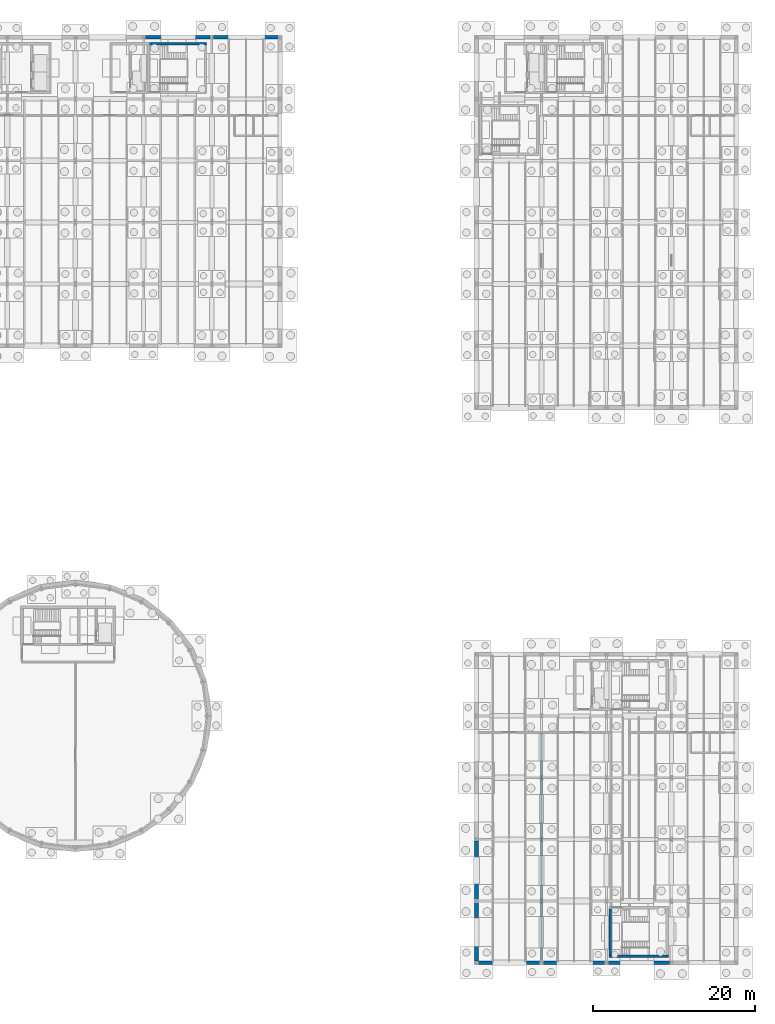
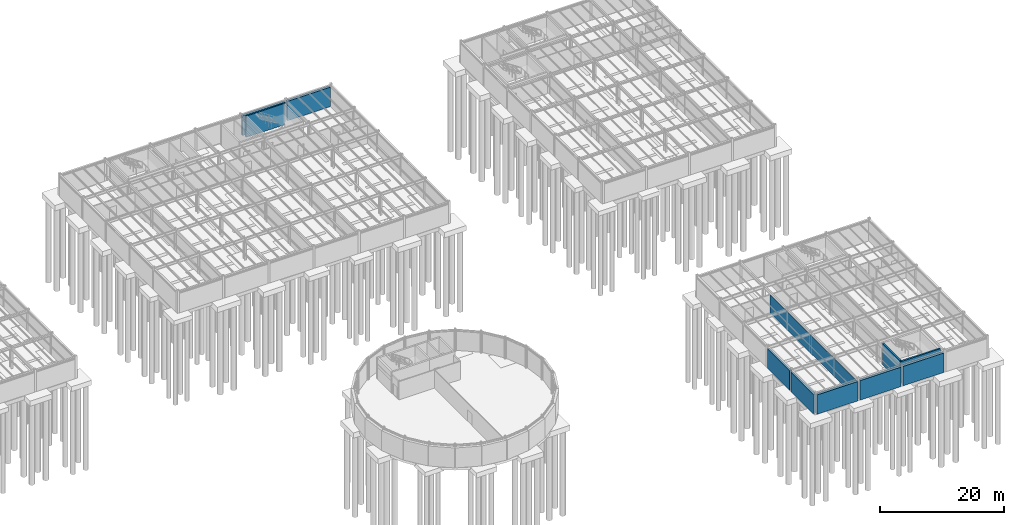
# One storey, part 27 of 33: 11 walls.
"""IFC4 building model written with IfcOpenShell, lengths in metres."""

from ifc_helpers import new_model, si_unit, direction, frame, frame_2d, origin, place, context, subcontext, project, spatial, rectangle, extrude, material, layer, layer_set, type_object, element, save


model = new_model("IFC4")

# Units and contexts
model_context = context("Model", 3, precision=1e-05, world=origin(), true_north=direction((0.0, 1.0)))
body_context = subcontext(model_context, "Body", "Model", "MODEL_VIEW")
ifc_project = project(units=[si_unit("LENGTHUNIT", "METRE"), si_unit("AREAUNIT", "SQUARE_METRE"), si_unit("VOLUMEUNIT", "CUBIC_METRE"), si_unit("PLANEANGLEUNIT", "RADIAN"), si_unit("MASSUNIT", "GRAM", prefix="KILO")], contexts=[model_context])

# Site, building, storey
site_placement = place(None, origin())
site = spatial("IfcSite", under=ifc_project, at=site_placement, CompositionType="ELEMENT")
building_placement = place(site_placement, origin())
building = spatial("IfcBuilding", under=site, at=building_placement, Name="Montecoro Central Library", CompositionType="ELEMENT")
storey_placement = place(building_placement, frame((0.0, 0.0, -4.419921875)))
storey = spatial("IfcBuildingStorey", under=building, at=storey_placement, Name="B1", CompositionType="ELEMENT", Elevation=-4.419921875)

# Walls
ifc_material_1 = material(Name="Concrete C35/45", Category="concrete")
ifc_layer_1 = layer(ifc_material_1, 0.455078125)
ifc_layer_set_1 = layer_set([ifc_layer_1], Name="Concrete C35/45")
wall_type_1 = type_object("IfcWallType", Name="EW-RET-455", PredefinedType="USERDEFINED", material=ifc_layer_set_1)
wall_1_placement = place(storey_placement, frame((100.202880859375, 119.0, 0.0), z_axis=(0.0, 0.0, 1.0), x_axis=(1.0, 0.0, 0.0)))
element("IfcWall", 1, at=wall_1_placement, inside=storey, type_object=wall_type_1, Name="V2-B1-RW-N-13", ObjectType="RETAININGWALL", PredefinedType="USERDEFINED", context=body_context, shape_type="SweptSolid", body=[
    extrude(rectangle(XDim=7.994140625, YDim=0.455078125, at=frame_2d((3.9970703125, 0.0))), origin(), (0.0, 0.0, 1.0), 3.81982421875),
])
wall_2_placement = place(storey_placement, frame((108.60302734375, 119.0, 0.0), z_axis=(0.0, 0.0, 1.0), x_axis=(1.0, 0.0, 0.0)))
element("IfcWall", 2, at=wall_2_placement, inside=storey, type_object=wall_type_1, Name="V2-B1-RW-N-14", ObjectType="RETAININGWALL", PredefinedType="USERDEFINED", context=body_context, shape_type="SweptSolid", body=[
    extrude(rectangle(XDim=7.993896484375, YDim=0.455078125, at=frame_2d((3.9970703125, 0.0))), origin(), (0.0, 0.0, 1.0), 3.81982421875),
])
for number, where, z_axis, x_axis, name in (
    (3, (141.202880859375, 5.0, 0.0), (0.0, 0.0, 1.0), (1.0, 0.0, 0.0), "V6-B1-RW-S-18"),
    (4, (149.202880859375, 5.0, 0.0), (0.0, 0.0, 1.0), (1.0, 0.0, 0.0), "V6-B1-RW-S-19"),
    (5, (157.202880859375, 5.0, 0.0), (0.0, 0.0, 1.0), (1.0, 0.0, 0.0), "V6-B1-RW-S-20"),
):
    element("IfcWall", number, at=place(storey_placement, frame(where, z_axis=z_axis, x_axis=x_axis)), inside=storey, type_object=wall_type_1, Name=name, ObjectType="RETAININGWALL", PredefinedType="USERDEFINED", context=body_context, shape_type="SweptSolid", body=[
        extrude(rectangle(XDim=7.59423828125, YDim=0.455078125, at=frame_2d((3.797119140625, 0.0))), origin(), (0.0, 0.0, 1.0), 3.81982421875),
    ])
for number, where, z_axis, x_axis, name in (
    (6, (141.0, 5.202880859375, 0.0), (0.0, 0.0, 1.0), (0.0, 1.0, 0.0), "V6-B1-RW-W-A"),
    (7, (141.0, 12.802978515625, 0.0), (0.0, 0.0, 1.0), (0.0, 1.0, 0.0), "V6-B1-RW-W-B"),
):
    element("IfcWall", number, at=place(storey_placement, frame(where, z_axis=z_axis, x_axis=x_axis)), inside=storey, type_object=wall_type_1, Name=name, ObjectType="RETAININGWALL", PredefinedType="USERDEFINED", context=body_context, shape_type="SweptSolid", body=[
        extrude(rectangle(XDim=7.194091796875, YDim=0.455078125, at=frame_2d((3.59716796875, 0.0))), origin(), (0.0, 0.0, 1.0), 3.81982421875),
    ])
ifc_material_2 = material(Name="Gypsum metal-stud partition")
ifc_layer_2 = layer(ifc_material_2, 0.139892578125)
ifc_layer_set_2 = layer_set([ifc_layer_2], Name="Gypsum metal-stud partition")
wall_type_2 = type_object("IfcWallType", Name="IW-PRT-140", PredefinedType="PARTITIONING", material=ifc_layer_set_2)
wall_3_placement = place(storey_placement, frame((149.0, 5.320068359375, 0.0), z_axis=(0.0, 0.0, 1.0), x_axis=(0.0, 1.0, 0.0)))
element("IfcWall", 8, at=wall_3_placement, inside=storey, type_object=wall_type_2, Name="DIVW-V6-B1-01-1", PredefinedType="PARTITIONING", context=body_context, shape_type="SweptSolid", body=[
    extrude(rectangle(XDim=27.93994140625, YDim=0.139892578125, at=frame_2d((13.969970703125, 0.0))), origin(), (0.0, 0.0, 1.0), 3.52001953125),
])
ifc_layer_3 = layer(ifc_material_1, 0.260009765625)
ifc_layer_set_3 = layer_set([ifc_layer_3], Name="Concrete C35/45")
wall_type_3 = type_object("IfcWallType", Name="IW-SHR-260", PredefinedType="SHEAR", material=ifc_layer_set_3)
wall_4_placement = place(storey_placement, frame((100.469970703125, 118.199951171875, 0.0), z_axis=(0.0, 0.0, 1.0), x_axis=(1.0, 0.0, 0.0)))
element("IfcWall", 9, at=wall_4_placement, inside=storey, type_object=wall_type_3, Name="C3-B1-WN", PredefinedType="SHEAR", context=body_context, shape_type="SweptSolid", body=[
    extrude(rectangle(XDim=7.260009765625, YDim=0.260009765625, at=frame_2d((3.6298828125, 0.0))), origin(), (0.0, 0.0, 1.0), 4.184814453125),
])
ifc_layer_4 = layer(ifc_material_1, 0.300048828125)
ifc_layer_set_4 = layer_set([ifc_layer_4], Name="Concrete C35/45")
wall_type_4 = type_object("IfcWallType", Name="IW-SHR-300", PredefinedType="SHEAR", material=ifc_layer_set_4)
wall_5_placement = place(storey_placement, frame((157.35009765625, 5.800048828125, 0.0), z_axis=(0.0, 0.0, 1.0), x_axis=(1.0, 0.0, 0.0)))
element("IfcWall", 10, at=wall_5_placement, inside=storey, type_object=wall_type_4, Name="C10-B1-WS", PredefinedType="SHEAR", context=body_context, shape_type="SweptSolid", body=[
    extrude(rectangle(XDim=7.2998046875, YDim=0.300048828125, at=frame_2d((3.64990234375, 0.0))), origin(), (0.0, 0.0, 1.0), 4.184814453125),
])
wall_6_placement = place(storey_placement, frame((157.5, 5.949951171875, 0.0), z_axis=(0.0, 0.0, 1.0), x_axis=(0.0, 1.0, 0.0)))
element("IfcWall", 11, at=wall_6_placement, inside=storey, type_object=wall_type_4, Name="C10-B1-WW", PredefinedType="SHEAR", context=body_context, shape_type="SweptSolid", body=[
    extrude(rectangle(XDim=5.699951171875, YDim=0.300048828125, at=frame_2d((2.85009765625, 0.0))), origin(), (0.0, 0.0, 1.0), 4.184814453125),
])

save(model, "model.ifc")
